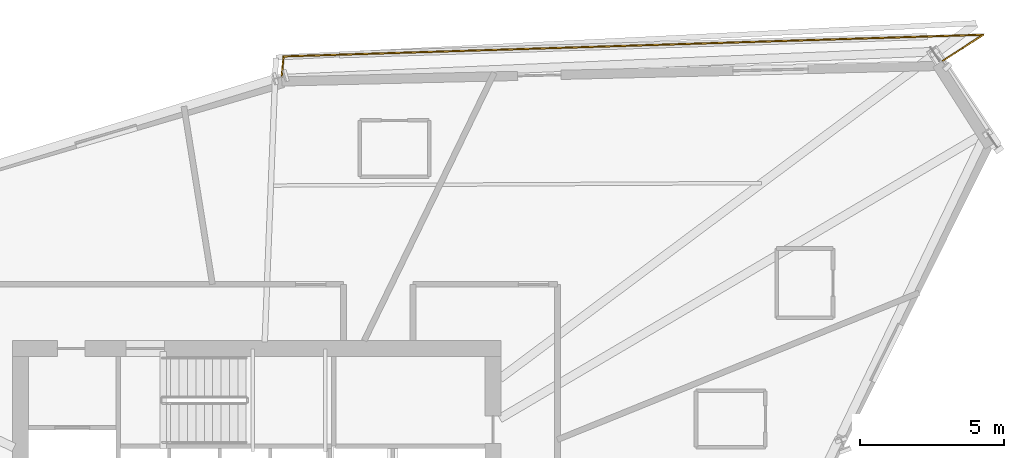
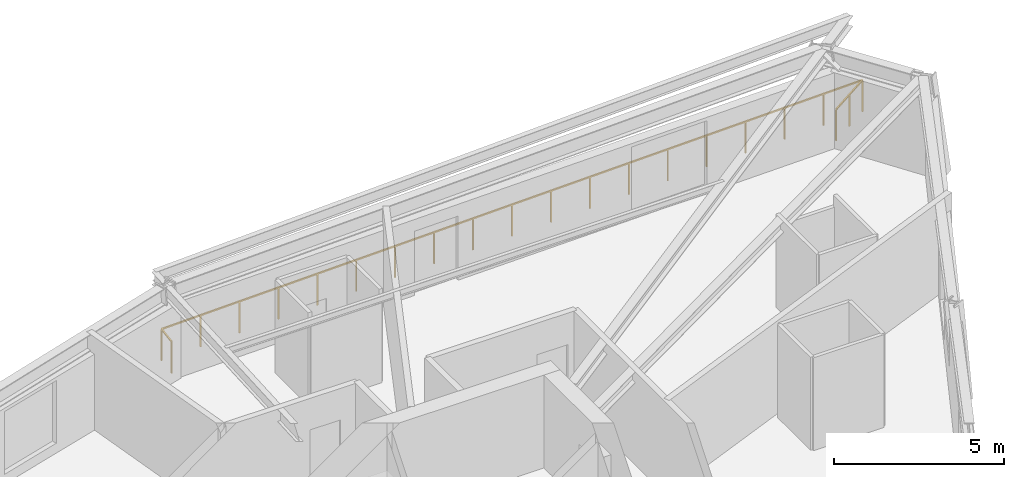
# One storey, part 13 of 13: 1 railing.
"""IFC4 building model written with IfcOpenShell, lengths in metres."""

from ifc_helpers import new_model, si_unit, direction, frame, origin, origin_2d, place, context, subcontext, project, spatial, rectangle, extrude, material, type_object, element, save


model = new_model("IFC4")

# Units and contexts
model_context = context("Model", 3, precision=1e-05, world=origin(), true_north=direction((0.0, 1.0)))
body_context = subcontext(model_context, "Body", "Model", "MODEL_VIEW")
ifc_project = project(units=[si_unit("LENGTHUNIT", "METRE"), si_unit("AREAUNIT", "SQUARE_METRE"), si_unit("VOLUMEUNIT", "CUBIC_METRE"), si_unit("PLANEANGLEUNIT", "RADIAN"), si_unit("MASSUNIT", "GRAM", prefix="KILO")], contexts=[model_context])

# Site, building, storey
site_placement = place(None, origin())
site = spatial("IfcSite", under=ifc_project, at=site_placement, CompositionType="ELEMENT")
building_placement = place(site_placement, origin())
building = spatial("IfcBuilding", under=site, at=building_placement, Name="Olszyna Solenne Hotel", CompositionType="ELEMENT")
storey_placement = place(building_placement, frame((0.0, 0.0, 167.89990234375)))
storey = spatial("IfcBuildingStorey", under=building, at=storey_placement, Name="L44", CompositionType="ELEMENT", Elevation=167.89990234375)

# Railing
ifc_material = material(Name="Anodised bronze aluminium", Category="aluminium")
railing_type = type_object("IfcRailingType", Name="GR-110", PredefinedType="BALUSTRADE", material=ifc_material)
railing_placement = place(storey_placement, frame((61.714599609375, 43.920654296875, 0.0)))
element("IfcRailing", 1, at=railing_placement, inside=storey, type_object=railing_type, Name="Loggia balcony balustrade guard GR-L44-LG1", PredefinedType="BALUSTRADE", context=body_context, shape_type="SweptSolid", body=[
    extrude(rectangle(XDim=0.048095703125, YDim=0.048095703125, at=origin_2d()), frame((0.0, 0.0, 1.1259765625), z_axis=(0.840389936291, 0.541982246001, 0.0), x_axis=(-0.541982246001, 0.840389936291, 0.0)), (0.0, 0.0, 1.0), 1.69189453125),
    extrude(rectangle(XDim=0.048095703125, YDim=0.048095703125, at=origin_2d()), frame((1.421875, 0.9169921875, 1.1259765625), z_axis=(-0.99951960847, -0.030992777945, 0.0), x_axis=(0.030992777945, -0.99951960847, 0.0)), (0.0, 0.0, 1.0), 24.222900390625),
    extrude(rectangle(XDim=0.048095703125, YDim=0.048095703125, at=origin_2d()), frame((-22.789306640625, 0.166259765625, 1.1259765625), z_axis=(-0.094662891104, -0.995509385716, 0.0), x_axis=(0.995509385716, -0.094662891104, 0.0)), (0.0, 0.0, 1.0), 0.709228515625),
    extrude(rectangle(XDim=0.0419921875, YDim=0.0419921875, at=origin_2d()), origin(), (0.0, 0.0, 1.0), 1.101806640625),
    extrude(rectangle(XDim=0.0419921875, YDim=0.0419921875, at=origin_2d()), frame((0.7109375, 0.45849609375, 0.0)), (0.0, 0.0, 1.0), 1.101806640625),
    extrude(rectangle(XDim=0.0419921875, YDim=0.0419921875, at=origin_2d()), frame((1.421875, 0.9169921875, 0.0)), (0.0, 0.0, 1.0), 1.101806640625),
    extrude(rectangle(XDim=0.0419921875, YDim=0.0419921875, at=origin_2d()), frame((0.076904296875, 0.875244140625, 0.0)), (0.0, 0.0, 1.0), 1.101806640625),
    extrude(rectangle(XDim=0.0419921875, YDim=0.0419921875, at=origin_2d()), frame((-1.268310546875, 0.83349609375, 0.0)), (0.0, 0.0, 1.0), 1.101806640625),
    extrude(rectangle(XDim=0.0419921875, YDim=0.0419921875, at=origin_2d()), frame((-2.61328125, 0.7919921875, 0.0)), (0.0, 0.0, 1.0), 1.101806640625),
    extrude(rectangle(XDim=0.0419921875, YDim=0.0419921875, at=origin_2d()), frame((-3.95849609375, 0.750244140625, 0.0)), (0.0, 0.0, 1.0), 1.101806640625),
    extrude(rectangle(XDim=0.0419921875, YDim=0.0419921875, at=origin_2d()), frame((-5.303466796875, 0.70849609375, 0.0)), (0.0, 0.0, 1.0), 1.101806640625),
    extrude(rectangle(XDim=0.0419921875, YDim=0.0419921875, at=origin_2d()), frame((-6.6484375, 0.666748046875, 0.0)), (0.0, 0.0, 1.0), 1.101806640625),
    extrude(rectangle(XDim=0.0419921875, YDim=0.0419921875, at=origin_2d()), frame((-7.99365234375, 0.625, 0.0)), (0.0, 0.0, 1.0), 1.101806640625),
    extrude(rectangle(XDim=0.0419921875, YDim=0.0419921875, at=origin_2d()), frame((-9.338623046875, 0.583251953125, 0.0)), (0.0, 0.0, 1.0), 1.101806640625),
    extrude(rectangle(XDim=0.0419921875, YDim=0.0419921875, at=origin_2d()), frame((-10.68359375, 0.54150390625, 0.0)), (0.0, 0.0, 1.0), 1.101806640625),
    extrude(rectangle(XDim=0.0419921875, YDim=0.0419921875, at=origin_2d()), frame((-12.02880859375, 0.5, 0.0)), (0.0, 0.0, 1.0), 1.101806640625),
    extrude(rectangle(XDim=0.0419921875, YDim=0.0419921875, at=origin_2d()), frame((-13.373779296875, 0.458251953125, 0.0)), (0.0, 0.0, 1.0), 1.101806640625),
    extrude(rectangle(XDim=0.0419921875, YDim=0.0419921875, at=origin_2d()), frame((-14.718994140625, 0.41650390625, 0.0)), (0.0, 0.0, 1.0), 1.101806640625),
    extrude(rectangle(XDim=0.0419921875, YDim=0.0419921875, at=origin_2d()), frame((-16.06396484375, 0.374755859375, 0.0)), (0.0, 0.0, 1.0), 1.101806640625),
    extrude(rectangle(XDim=0.0419921875, YDim=0.0419921875, at=origin_2d()), frame((-17.408935546875, 0.3330078125, 0.0)), (0.0, 0.0, 1.0), 1.101806640625),
    extrude(rectangle(XDim=0.0419921875, YDim=0.0419921875, at=origin_2d()), frame((-18.754150390625, 0.29150390625, 0.0)), (0.0, 0.0, 1.0), 1.101806640625),
    extrude(rectangle(XDim=0.0419921875, YDim=0.0419921875, at=origin_2d()), frame((-20.09912109375, 0.249755859375, 0.0)), (0.0, 0.0, 1.0), 1.101806640625),
    extrude(rectangle(XDim=0.0419921875, YDim=0.0419921875, at=origin_2d()), frame((-21.4443359375, 0.2080078125, 0.0)), (0.0, 0.0, 1.0), 1.101806640625),
    extrude(rectangle(XDim=0.0419921875, YDim=0.0419921875, at=origin_2d()), frame((-22.789306640625, 0.166259765625, 0.0)), (0.0, 0.0, 1.0), 1.101806640625),
    extrude(rectangle(XDim=0.0419921875, YDim=0.0419921875, at=origin_2d()), frame((-22.8564453125, -0.539794921875, 0.0)), (0.0, 0.0, 1.0), 1.101806640625),
])

save(model, "model.ifc")
